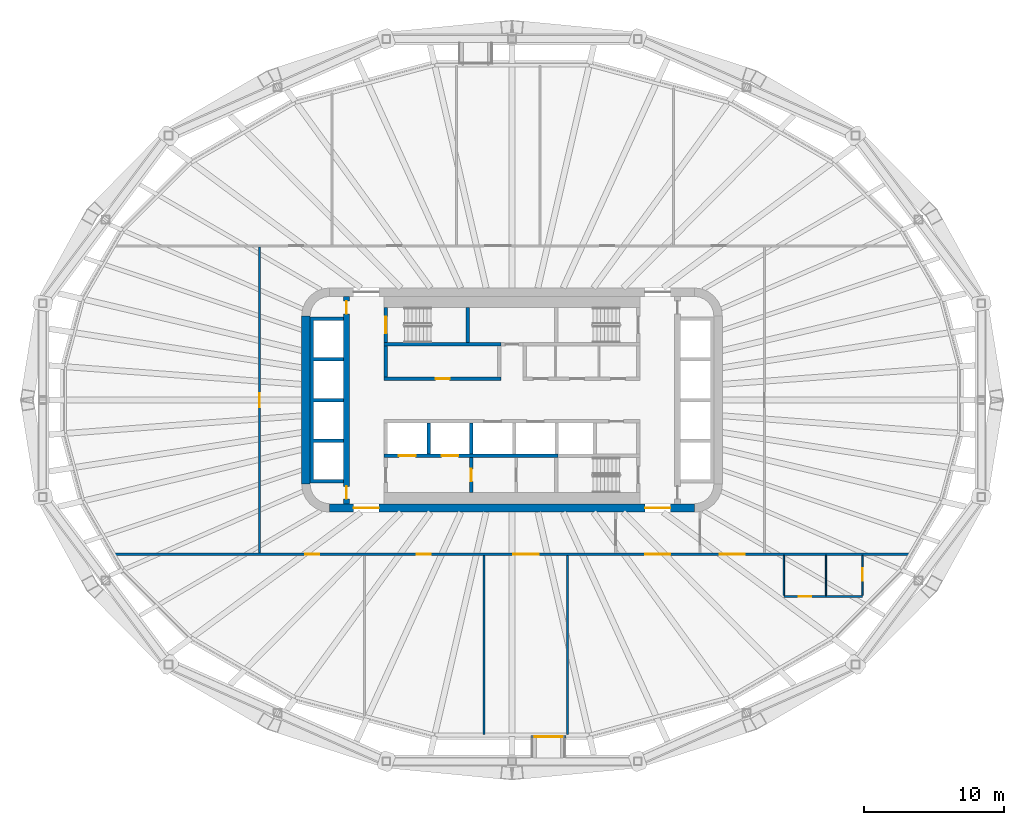
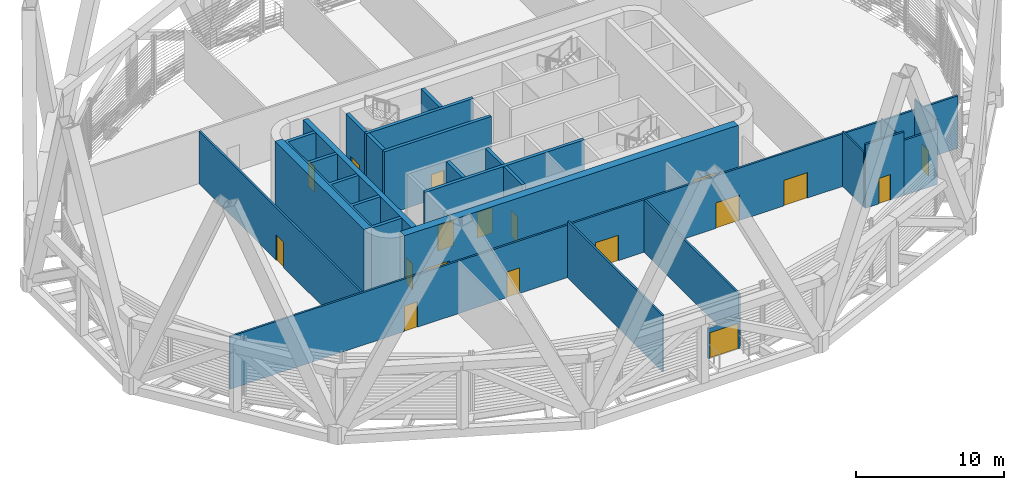
# One storey, part 6 of 18: 23 walls, 18 doors, 18 openings.
"""IFC4 building model written with IfcOpenShell, lengths in metres."""

from ifc_helpers import new_model, si_unit, direction, frame, frame_2d, origin, place, context, subcontext, project, spatial, polyline, rectangle, outline, extrude, material, layer, layer_set, type_object, element, fill, save


model = new_model("IFC4")

# Units and contexts
model_context = context("Model", 3, precision=1e-05, world=origin(), true_north=direction((0.0, 1.0)))
body_context = subcontext(model_context, "Body", "Model", "MODEL_VIEW")
ifc_project = project(units=[si_unit("LENGTHUNIT", "METRE"), si_unit("AREAUNIT", "SQUARE_METRE"), si_unit("VOLUMEUNIT", "CUBIC_METRE"), si_unit("PLANEANGLEUNIT", "RADIAN"), si_unit("MASSUNIT", "GRAM", prefix="KILO")], contexts=[model_context])

# Site, building, storey
site_placement = place(None, origin())
site = spatial("IfcSite", under=ifc_project, at=site_placement, CompositionType="ELEMENT")
building_placement = place(site_placement, origin())
building = spatial("IfcBuilding", under=site, at=building_placement, Name="Sahrelin Media Tower", CompositionType="ELEMENT")
storey_placement = place(building_placement, frame((0.0, 0.0, 96.60009765625)))
storey = spatial("IfcBuildingStorey", under=building, at=storey_placement, Name="L18", CompositionType="ELEMENT", Elevation=96.60009765625)

# Wall, openings, doors
ifc_material_1 = material(Name="Concrete C60/75", Category="concrete")
ifc_layer_1 = layer(ifc_material_1, 0.60009765625)
ifc_layer_set_1 = layer_set([ifc_layer_1], Name="Core wall 600")
wall_type_1 = type_object("IfcWallType", Name="Core wall 600", PredefinedType="SHEAR", material=ifc_layer_set_1)
wall_1_placement = place(storey_placement, frame((-13.0, -7.699951171875, 0.0), z_axis=(0.0, 0.0, 1.0), x_axis=(1.0, 0.0, 0.0)))
wall_1 = element("IfcWall", 1, at=wall_1_placement, inside=storey, type_object=wall_type_1, Name="Core wall S L18", PredefinedType="SHEAR", context=body_context, shape_type="SweptSolid", body=[
    extrude(rectangle(XDim=26.0, YDim=0.60009765625, at=frame_2d((13.0, 0.0))), origin(), (0.0, 0.0, 1.0), 5.39990234375),
])
opening_1_placement = place(wall_1_placement, frame((1.699951171875, 0.0, 0.0)))
opening_1 = element("IfcOpeningElement", 2, at=opening_1_placement, cuts=wall_1, Name="Opening L18-D19", PredefinedType="OPENING", context=body_context, shape_type="SweptSolid", body=[
    extrude(rectangle(XDim=1.800048828125, YDim=2.10009765625, at=frame_2d((0.89990234375, 1.050048828125))), frame((0.0, 0.300048828125, 0.0), z_axis=(0.0, -1.0, 0.0), x_axis=(1.0, 0.0, 0.0)), (0.0, 0.0, 1.0), 0.60009765625),
])
opening_2_placement = place(wall_1_placement, frame((22.5, 0.0, 0.0)))
opening_2 = element("IfcOpeningElement", 3, at=opening_2_placement, cuts=wall_1, Name="Opening L18-D20", PredefinedType="OPENING", context=body_context, shape_type="SweptSolid", body=[
    extrude(rectangle(XDim=1.800048828125, YDim=2.10009765625, at=frame_2d((0.89990234375, 1.050048828125))), frame((0.0, 0.300048828125, 0.0), z_axis=(0.0, -1.0, 0.0), x_axis=(1.0, 0.0, 0.0)), (0.0, 0.0, 1.0), 0.60009765625),
])
ifc_material_2 = material(Name="Steel fire door leaf", Category="steel")
door_type_1 = type_object("IfcDoorType", Name="Lobby double door 1800 x 2100 EI 60", OperationType="DOUBLE_DOOR_SINGLE_SWING", PredefinedType="DOOR", material=ifc_material_2)
door_1_placement = place(opening_1_placement, origin())
door_1 = element("IfcDoor", 4, at=door_1_placement, inside=storey, type_object=door_type_1, Name="Lobby door", OperationType="DOUBLE_DOOR_SINGLE_SWING", OverallHeight=2.10009765625, OverallWidth=1.800048828125, PredefinedType="DOOR", context=body_context, shape_type="SweptSolid", body=[
    extrude(rectangle(XDim=1.800048828125, YDim=2.10009765625, at=frame_2d((0.89990234375, 1.050048828125))), frame((0.0, 0.02490234375, 0.0), z_axis=(0.0, -1.0, 0.0), x_axis=(1.0, 0.0, 0.0)), (0.0, 0.0, 1.0), 0.050048828125),
])
fill(opening_1, door_1)
door_2_placement = place(opening_2_placement, origin())
door_2 = element("IfcDoor", 5, at=door_2_placement, inside=storey, type_object=door_type_1, Name="Lobby door", OperationType="DOUBLE_DOOR_SINGLE_SWING", OverallHeight=2.10009765625, OverallWidth=1.800048828125, PredefinedType="DOOR", context=body_context, shape_type="SweptSolid", body=[
    extrude(rectangle(XDim=1.800048828125, YDim=2.10009765625, at=frame_2d((0.89990234375, 1.050048828125))), frame((0.0, 0.02490234375, 0.0), z_axis=(0.0, -1.0, 0.0), x_axis=(1.0, 0.0, 0.0)), (0.0, 0.0, 1.0), 0.050048828125),
])
fill(opening_2, door_2)

# Wall
wall_2_placement = place(storey_placement, frame((-14.699951171875, -6.0, 0.0), z_axis=(0.0, 0.0, 1.0), x_axis=(0.0, 1.0, 0.0)))
element("IfcWall", 6, at=wall_2_placement, inside=storey, type_object=wall_type_1, Name="Core wall W L18", PredefinedType="SHEAR", context=body_context, shape_type="SweptSolid", body=[
    extrude(rectangle(XDim=12.0, YDim=0.60009765625, at=frame_2d((6.0, 0.0))), origin(), (0.0, 0.0, 1.0), 5.39990234375),
])

# Wall, opening, door
ifc_material_3 = material(Name="Fire-rated gypsum board partition")
ifc_layer_2 = layer(ifc_material_3, 0.25)
ifc_layer_set_2 = layer_set([ifc_layer_2], Name="Fire-rated lobby wall 250")
wall_type_2 = type_object("IfcWallType", Name="Fire-rated lobby wall 250", PredefinedType="PARTITIONING", material=ifc_layer_set_2)
wall_3_placement = place(storey_placement, frame((-9.125, 1.52490234375, 0.0), z_axis=(0.0, 0.0, 1.0), x_axis=(1.0, 0.0, 0.0)))
wall_3 = element("IfcWall", 7, at=wall_3_placement, inside=storey, type_object=wall_type_2, Name="Core lobby wall", PredefinedType="PARTITIONING", context=body_context, shape_type="SweptSolid", body=[
    extrude(rectangle(XDim=8.35009765625, YDim=0.25, at=frame_2d((4.175048828125, 0.0))), origin(), (0.0, 0.0, 1.0), 5.25),
])
opening_3_placement = place(wall_3_placement, frame((3.675048828125, 0.0, 0.0)))
opening_3 = element("IfcOpeningElement", 8, at=opening_3_placement, cuts=wall_3, Name="Opening L18-D08", PredefinedType="OPENING", context=body_context, shape_type="SweptSolid", body=[
    extrude(rectangle(XDim=1.0, YDim=2.10009765625, at=frame_2d((0.5, 1.050048828125))), frame((0.0, 0.125, 0.0), z_axis=(0.0, -1.0, 0.0), x_axis=(1.0, 0.0, 0.0)), (0.0, 0.0, 1.0), 0.25),
])
door_type_2 = type_object("IfcDoorType", Name="Fire door 1000 x 2100 EI 60", OperationType="NOTDEFINED", PredefinedType="DOOR", material=ifc_material_2)
door_3_placement = place(opening_3_placement, origin())
door_3 = element("IfcDoor", 9, at=door_3_placement, inside=storey, type_object=door_type_2, Name="Core room door", OperationType="SINGLE_SWING_LEFT", OverallHeight=2.10009765625, OverallWidth=1.0, PredefinedType="DOOR", context=body_context, shape_type="SweptSolid", body=[
    extrude(rectangle(XDim=1.0, YDim=2.10009765625, at=frame_2d((0.5, 1.050048828125))), frame((0.0, 0.02490234375, 0.0), z_axis=(0.0, -1.0, 0.0), x_axis=(1.0, 0.0, 0.0)), (0.0, 0.0, 1.0), 0.050048828125),
])
fill(opening_3, door_3)

# Wall
wall_4_placement = place(storey_placement, frame((-9.0, 1.64990234375, 0.0), z_axis=(0.0, 0.0, 1.0), x_axis=(0.0, 1.0, 0.0)))
element("IfcWall", 10, at=wall_4_placement, inside=storey, type_object=wall_type_2, Name="Core lobby wall", PredefinedType="PARTITIONING", context=body_context, shape_type="SweptSolid", body=[
    extrude(rectangle(XDim=2.2001953125, YDim=0.25, at=frame_2d((1.10009765625, 0.0))), origin(), (0.0, 0.0, 1.0), 5.25),
])

# Wall, openings, doors
ifc_layer_3 = layer(ifc_material_3, 0.14990234375)
ifc_layer_set_3 = layer_set([ifc_layer_3], Name="Fire-rated partition 150")
wall_type_3 = type_object("IfcWallType", Name="Fire-rated partition 150", PredefinedType="PARTITIONING", material=ifc_layer_set_3)
wall_5_placement = place(storey_placement, frame((-28.34619140625, -11.0, 0.0), z_axis=(0.0, 0.0, 1.0), x_axis=(1.0, 0.0, 0.0)))
wall_5 = element("IfcWall", 11, at=wall_5_placement, inside=storey, type_object=wall_type_3, Name="Wall", PredefinedType="PARTITIONING", context=body_context, shape_type="SweptSolid", body=[
    extrude(rectangle(XDim=56.6923828125, YDim=0.14990234375, at=frame_2d((28.34619140625, 0.0))), origin(), (0.0, 0.0, 1.0), 4.326904296875),
])
opening_4_placement = place(wall_5_placement, frame((13.60009765625, 0.0, 0.0)))
opening_4 = element("IfcOpeningElement", 12, at=opening_4_placement, cuts=wall_5, Name="Opening L18-D25", PredefinedType="OPENING", context=body_context, shape_type="SweptSolid", body=[
    extrude(rectangle(XDim=1.0, YDim=2.10009765625, at=frame_2d((0.5, 1.050048828125))), frame((0.0, 0.074951171875, 0.0), z_axis=(0.0, -1.0, 0.0), x_axis=(1.0, 0.0, 0.0)), (0.0, 0.0, 1.0), 0.14990234375),
])
opening_5_placement = place(wall_5_placement, frame((21.550048828125, 0.0, 0.0)))
opening_5 = element("IfcOpeningElement", 13, at=opening_5_placement, cuts=wall_5, Name="Opening L18-D26", PredefinedType="OPENING", context=body_context, shape_type="SweptSolid", body=[
    extrude(rectangle(XDim=1.0, YDim=2.10009765625, at=frame_2d((0.5, 1.050048828125))), frame((0.0, 0.074951171875, 0.0), z_axis=(0.0, -1.0, 0.0), x_axis=(1.0, 0.0, 0.0)), (0.0, 0.0, 1.0), 0.14990234375),
])
opening_6_placement = place(wall_5_placement, frame((37.85009765625, 0.0, 0.0)))
opening_6 = element("IfcOpeningElement", 14, at=opening_6_placement, cuts=wall_5, Name="Opening L18-D31", PredefinedType="OPENING", context=body_context, shape_type="SweptSolid", body=[
    extrude(rectangle(XDim=1.800048828125, YDim=2.10009765625, at=frame_2d((0.89990234375, 1.050048828125))), frame((0.0, 0.074951171875, 0.0), z_axis=(0.0, -1.0, 0.0), x_axis=(1.0, 0.0, 0.0)), (0.0, 0.0, 1.0), 0.14990234375),
])
opening_7_placement = place(wall_5_placement, frame((43.14990234375, 0.0, 0.0)))
opening_7 = element("IfcOpeningElement", 15, at=opening_7_placement, cuts=wall_5, Name="Opening L18-D32", PredefinedType="OPENING", context=body_context, shape_type="SweptSolid", body=[
    extrude(rectangle(XDim=1.800048828125, YDim=2.10009765625, at=frame_2d((0.89990234375, 1.050048828125))), frame((0.0, 0.074951171875, 0.0), z_axis=(0.0, -1.0, 0.0), x_axis=(1.0, 0.0, 0.0)), (0.0, 0.0, 1.0), 0.14990234375),
])
opening_8_placement = place(wall_5_placement, frame((28.449951171875, 0.0, 0.0)))
opening_8 = element("IfcOpeningElement", 16, at=opening_8_placement, cuts=wall_5, Name="Opening L18-D36", PredefinedType="OPENING", context=body_context, shape_type="SweptSolid", body=[
    extrude(rectangle(XDim=1.800048828125, YDim=2.10009765625, at=frame_2d((0.89990234375, 1.050048828125))), frame((0.0, 0.074951171875, 0.0), z_axis=(0.0, -1.0, 0.0), x_axis=(1.0, 0.0, 0.0)), (0.0, 0.0, 1.0), 0.14990234375),
])
door_4_placement = place(opening_4_placement, origin())
door_4 = element("IfcDoor", 17, at=door_4_placement, inside=storey, type_object=door_type_2, Name="Fire door", OperationType="SINGLE_SWING_LEFT", OverallHeight=2.10009765625, OverallWidth=1.0, PredefinedType="DOOR", context=body_context, shape_type="SweptSolid", body=[
    extrude(rectangle(XDim=1.0, YDim=2.10009765625, at=frame_2d((0.5, 1.050048828125))), frame((0.0, 0.02490234375, 0.0), z_axis=(0.0, -1.0, 0.0), x_axis=(1.0, 0.0, 0.0)), (0.0, 0.0, 1.0), 0.050048828125),
])
fill(opening_4, door_4)
door_5_placement = place(opening_5_placement, origin())
door_5 = element("IfcDoor", 18, at=door_5_placement, inside=storey, type_object=door_type_2, Name="Fire door", OperationType="SINGLE_SWING_LEFT", OverallHeight=2.10009765625, OverallWidth=1.0, PredefinedType="DOOR", context=body_context, shape_type="SweptSolid", body=[
    extrude(rectangle(XDim=1.0, YDim=2.10009765625, at=frame_2d((0.5, 1.050048828125))), frame((0.0, 0.02490234375, 0.0), z_axis=(0.0, -1.0, 0.0), x_axis=(1.0, 0.0, 0.0)), (0.0, 0.0, 1.0), 0.050048828125),
])
fill(opening_5, door_5)
door_6_placement = place(opening_6_placement, origin())
door_6 = element("IfcDoor", 19, at=door_6_placement, inside=storey, type_object=door_type_1, Name="Lobby double door", OperationType="DOUBLE_DOOR_SINGLE_SWING", OverallHeight=2.10009765625, OverallWidth=1.800048828125, PredefinedType="DOOR", context=body_context, shape_type="SweptSolid", body=[
    extrude(rectangle(XDim=1.800048828125, YDim=2.10009765625, at=frame_2d((0.89990234375, 1.050048828125))), frame((0.0, 0.02490234375, 0.0), z_axis=(0.0, -1.0, 0.0), x_axis=(1.0, 0.0, 0.0)), (0.0, 0.0, 1.0), 0.050048828125),
])
fill(opening_6, door_6)
door_type_3 = type_object("IfcDoorType", Name="Service double door 1800 x 2100 EI 60", OperationType="DOUBLE_DOOR_SINGLE_SWING", PredefinedType="DOOR", material=ifc_material_2)
door_7_placement = place(opening_7_placement, origin())
door_7 = element("IfcDoor", 20, at=door_7_placement, inside=storey, type_object=door_type_3, Name="Service double door", OperationType="DOUBLE_DOOR_SINGLE_SWING", OverallHeight=2.10009765625, OverallWidth=1.800048828125, PredefinedType="DOOR", context=body_context, shape_type="SweptSolid", body=[
    extrude(rectangle(XDim=1.800048828125, YDim=2.10009765625, at=frame_2d((0.89990234375, 1.050048828125))), frame((0.0, 0.02490234375, 0.0), z_axis=(0.0, -1.0, 0.0), x_axis=(1.0, 0.0, 0.0)), (0.0, 0.0, 1.0), 0.050048828125),
])
fill(opening_7, door_7)
door_8_placement = place(opening_8_placement, origin())
door_8 = element("IfcDoor", 21, at=door_8_placement, inside=storey, type_object=door_type_3, Name="Service double door", OperationType="DOUBLE_DOOR_SINGLE_SWING", OverallHeight=2.10009765625, OverallWidth=1.800048828125, PredefinedType="DOOR", context=body_context, shape_type="SweptSolid", body=[
    extrude(rectangle(XDim=1.800048828125, YDim=2.10009765625, at=frame_2d((0.89990234375, 1.050048828125))), frame((0.0, 0.02490234375, 0.0), z_axis=(0.0, -1.0, 0.0), x_axis=(1.0, 0.0, 0.0)), (0.0, 0.0, 1.0), 0.050048828125),
])
fill(opening_8, door_8)

# Wall, opening, door
wall_6_placement = place(storey_placement, frame((-18.0, -10.925048828125, 0.0), z_axis=(0.0, 0.0, 1.0), x_axis=(0.0, 1.0, 0.0)))
wall_6 = element("IfcWall", 22, at=wall_6_placement, inside=storey, type_object=wall_type_3, Name="Wall", PredefinedType="PARTITIONING", context=body_context, shape_type="SweptSolid", body=[
    extrude(rectangle(XDim=21.85009765625, YDim=0.14990234375, at=frame_2d((10.925048828125, 0.0))), origin(), (0.0, 0.0, 1.0), 4.326904296875),
])
opening_9_placement = place(wall_6_placement, frame((10.425048828125, 0.0, 0.0)))
opening_9 = element("IfcOpeningElement", 23, at=opening_9_placement, cuts=wall_6, Name="Opening L18-D28", PredefinedType="OPENING", context=body_context, shape_type="SweptSolid", body=[
    extrude(rectangle(XDim=1.0, YDim=2.10009765625, at=frame_2d((0.5, 1.050048828125))), frame((0.0, 0.074951171875, 0.0), z_axis=(0.0, -1.0, 0.0), x_axis=(1.0, 0.0, 0.0)), (0.0, 0.0, 1.0), 0.14990234375),
])
door_9_placement = place(opening_9_placement, origin())
door_9 = element("IfcDoor", 24, at=door_9_placement, inside=storey, type_object=door_type_2, Name="Fire door", OperationType="SINGLE_SWING_RIGHT", OverallHeight=2.10009765625, OverallWidth=1.0, PredefinedType="DOOR", context=body_context, shape_type="SweptSolid", body=[
    extrude(rectangle(XDim=1.0, YDim=2.10009765625, at=frame_2d((0.5, 1.050048828125))), frame((0.0, 0.02490234375, 0.0), z_axis=(0.0, -1.0, 0.0), x_axis=(1.0, 0.0, 0.0)), (0.0, 0.0, 1.0), 0.050048828125),
])
fill(opening_9, door_9)

# Walls
wall_7_placement = place(storey_placement, frame((-2.0, -11.074951171875, 0.0), z_axis=(0.0, 0.0, 1.0), x_axis=(0.0, -1.0, 0.0)))
element("IfcWall", 25, at=wall_7_placement, inside=storey, type_object=wall_type_3, Name="Wall", PredefinedType="PARTITIONING", context=body_context, shape_type="SweptSolid", body=[
    extrude(rectangle(XDim=12.791259765625, YDim=0.14990234375, at=frame_2d((6.3955078125, 0.0))), origin(), (0.0, 0.0, 1.0), 4.627197265625),
])
wall_8_placement = place(storey_placement, frame((3.949951171875, -11.074951171875, 0.0), z_axis=(0.0, 0.0, 1.0), x_axis=(0.0, -1.0, 0.0)))
element("IfcWall", 26, at=wall_8_placement, inside=storey, type_object=wall_type_3, Name="Wall", PredefinedType="PARTITIONING", context=body_context, shape_type="SweptSolid", body=[
    extrude(rectangle(XDim=12.791259765625, YDim=0.14990234375, at=frame_2d((6.3955078125, 0.0))), origin(), (0.0, 0.0, 1.0), 4.326904296875),
])

# Wall, opening, door
wall_9_placement = place(storey_placement, frame((19.3935546875, -14.0, 0.0), z_axis=(0.0, 0.0, 1.0), x_axis=(1.0, 0.0, 0.0)))
wall_9 = element("IfcWall", 27, at=wall_9_placement, inside=storey, type_object=wall_type_3, Name="Wall", PredefinedType="PARTITIONING", context=body_context, shape_type="SweptSolid", body=[
    extrude(rectangle(XDim=3.0, YDim=0.14990234375, at=frame_2d((1.5, 0.0))), origin(), (0.0, 0.0, 1.0), 5.25),
])
opening_10_placement = place(wall_9_placement, frame((1.050048828125, 0.0, 0.0)))
opening_10 = element("IfcOpeningElement", 28, at=opening_10_placement, cuts=wall_9, Name="Opening L18-D33", PredefinedType="OPENING", context=body_context, shape_type="SweptSolid", body=[
    extrude(rectangle(XDim=0.89990234375, YDim=2.10009765625, at=frame_2d((0.449951171875, 1.050048828125))), frame((0.0, 0.074951171875, 0.0), z_axis=(0.0, -1.0, 0.0), x_axis=(1.0, 0.0, 0.0)), (0.0, 0.0, 1.0), 0.14990234375),
])
ifc_material_4 = material(Name="Timber door leaf", Category="wood")
door_type_4 = type_object("IfcDoorType", Name="Single door 900 x 2100", OperationType="NOTDEFINED", PredefinedType="DOOR", material=ifc_material_4)
door_10_placement = place(opening_10_placement, origin())
door_10 = element("IfcDoor", 29, at=door_10_placement, inside=storey, type_object=door_type_4, Name="Single door", OperationType="SINGLE_SWING_RIGHT", OverallHeight=2.10009765625, OverallWidth=0.89990234375, PredefinedType="DOOR", context=body_context, shape_type="SweptSolid", body=[
    extrude(rectangle(XDim=0.89990234375, YDim=2.10009765625, at=frame_2d((0.449951171875, 1.050048828125))), frame((0.0, 0.02490234375, 0.0), z_axis=(0.0, -1.0, 0.0), x_axis=(1.0, 0.0, 0.0)), (0.0, 0.0, 1.0), 0.050048828125),
])
fill(opening_10, door_10)

# Wall
wall_10_placement = place(storey_placement, frame((22.3935546875, -14.0, 0.0), z_axis=(0.0, 0.0, 1.0), x_axis=(1.0, 0.0, 0.0)))
element("IfcWall", 30, at=wall_10_placement, inside=storey, type_object=wall_type_3, Name="Wall", PredefinedType="PARTITIONING", context=body_context, shape_type="SweptSolid", body=[
    extrude(rectangle(XDim=2.599853515625, YDim=0.14990234375, at=frame_2d((1.2998046875, 0.0))), origin(), (0.0, 0.0, 1.0), 4.552001953125),
])

# Wall, opening, door
ifc_layer_4 = layer(ifc_material_3, 0.25)
ifc_layer_set_4 = layer_set([ifc_layer_4], Name="Firefighting lobby wall 250")
wall_type_4 = type_object("IfcWallType", Name="Firefighting lobby wall 250", PredefinedType="PARTITIONING", material=ifc_layer_set_4)
wall_11_placement = place(storey_placement, frame((-2.89990234375, -6.60009765625, 0.0), z_axis=(0.0, 0.0, 1.0), x_axis=(0.0, 1.0, 0.0)))
wall_11 = element("IfcWall", 31, at=wall_11_placement, inside=storey, type_object=wall_type_4, Name="Core wall", PredefinedType="PARTITIONING", context=body_context, shape_type="SweptSolid", body=[
    extrude(rectangle(XDim=2.5, YDim=0.25, at=frame_2d((1.25, 0.0))), origin(), (0.0, 0.0, 1.0), 5.25),
])
opening_11_placement = place(wall_11_placement, frame((0.800048828125, 0.0, 0.0)))
opening_11 = element("IfcOpeningElement", 32, at=opening_11_placement, cuts=wall_11, Name="Opening L18-D05", PredefinedType="OPENING", context=body_context, shape_type="SweptSolid", body=[
    extrude(rectangle(XDim=0.89990234375, YDim=2.10009765625, at=frame_2d((0.449951171875, 1.050048828125))), frame((0.0, 0.125, 0.0), z_axis=(0.0, -1.0, 0.0), x_axis=(1.0, 0.0, 0.0)), (0.0, 0.0, 1.0), 0.25),
])
door_type_5 = type_object("IfcDoorType", Name="Firefighting lobby door 900 x 2100 EI 120", OperationType="NOTDEFINED", PredefinedType="DOOR", material=ifc_material_2)
door_11_placement = place(opening_11_placement, origin())
door_11 = element("IfcDoor", 33, at=door_11_placement, inside=storey, type_object=door_type_5, Name="Riser door", OperationType="SINGLE_SWING_RIGHT", OverallHeight=2.10009765625, OverallWidth=0.89990234375, PredefinedType="DOOR", context=body_context, shape_type="SweptSolid", body=[
    extrude(rectangle(XDim=0.89990234375, YDim=2.10009765625, at=frame_2d((0.449951171875, 1.050048828125))), frame((0.0, 0.02490234375, 0.0), z_axis=(0.0, -1.0, 0.0), x_axis=(1.0, 0.0, 0.0)), (0.0, 0.0, 1.0), 0.050048828125),
])
fill(opening_11, door_11)

# Wall, openings, doors
ifc_layer_5 = layer(ifc_material_1, 0.25)
ifc_layer_set_5 = layer_set([ifc_layer_5], Name="Lift shaft wall 250")
wall_type_5 = type_object("IfcWallType", Name="Lift shaft wall 250", PredefinedType="SOLIDWALL", material=ifc_layer_set_5)
wall_12_placement = place(storey_placement, frame((-9.125, -3.97509765625, 0.0), z_axis=(0.0, 0.0, 1.0), x_axis=(1.0, 0.0, 0.0)))
wall_12 = element("IfcWall", 34, at=wall_12_placement, inside=storey, type_object=wall_type_5, Name="Lift shaft wall", PredefinedType="SOLIDWALL", context=body_context, shape_type="SweptSolid", body=[
    extrude(rectangle(XDim=12.39990234375, YDim=0.25, at=frame_2d((6.199951171875, 0.0))), origin(), (0.0, 0.0, 1.0), 5.25),
])
opening_12_placement = place(wall_12_placement, frame((1.050048828125, 0.0, 0.0)))
opening_12 = element("IfcOpeningElement", 35, at=opening_12_placement, cuts=wall_12, Name="Opening L18-LD-FF1", PredefinedType="OPENING", context=body_context, shape_type="SweptSolid", body=[
    extrude(rectangle(XDim=1.199951171875, YDim=2.10009765625, at=frame_2d((0.60009765625, 1.050048828125))), frame((0.0, 0.125, 0.0), z_axis=(0.0, -1.0, 0.0), x_axis=(1.0, 0.0, 0.0)), (0.0, 0.0, 1.0), 0.25),
])
opening_13_placement = place(wall_12_placement, frame((4.10009765625, 0.0, 0.0)))
opening_13 = element("IfcOpeningElement", 36, at=opening_13_placement, cuts=wall_12, Name="Opening L18-LD-FF2", PredefinedType="OPENING", context=body_context, shape_type="SweptSolid", body=[
    extrude(rectangle(XDim=1.199951171875, YDim=2.10009765625, at=frame_2d((0.60009765625, 1.050048828125))), frame((0.0, 0.125, 0.0), z_axis=(0.0, -1.0, 0.0), x_axis=(1.0, 0.0, 0.0)), (0.0, 0.0, 1.0), 0.25),
])
ifc_material_5 = material(Name="Stainless steel", Category="steel")
door_type_6 = type_object("IfcDoorType", Name="Lift landing door 1200 x 2100 EI 120", OperationType="DOUBLE_DOOR_SLIDING", PredefinedType="DOOR", material=ifc_material_5)
door_12_placement = place(opening_12_placement, origin())
door_12 = element("IfcDoor", 37, at=door_12_placement, inside=storey, type_object=door_type_6, Name="Lift landing door FF1", OperationType="DOUBLE_DOOR_SLIDING", OverallHeight=2.10009765625, OverallWidth=1.199951171875, PredefinedType="DOOR", context=body_context, shape_type="SweptSolid", body=[
    extrude(rectangle(XDim=1.199951171875, YDim=2.10009765625, at=frame_2d((0.60009765625, 1.050048828125))), frame((0.0, 0.02490234375, 0.0), z_axis=(0.0, -1.0, 0.0), x_axis=(1.0, 0.0, 0.0)), (0.0, 0.0, 1.0), 0.050048828125),
])
fill(opening_12, door_12)
door_13_placement = place(opening_13_placement, origin())
door_13 = element("IfcDoor", 38, at=door_13_placement, inside=storey, type_object=door_type_6, Name="Lift landing door FF2", OperationType="DOUBLE_DOOR_SLIDING", OverallHeight=2.10009765625, OverallWidth=1.199951171875, PredefinedType="DOOR", context=body_context, shape_type="SweptSolid", body=[
    extrude(rectangle(XDim=1.199951171875, YDim=2.10009765625, at=frame_2d((0.60009765625, 1.050048828125))), frame((0.0, 0.02490234375, 0.0), z_axis=(0.0, -1.0, 0.0), x_axis=(1.0, 0.0, 0.0)), (0.0, 0.0, 1.0), 0.050048828125),
])
fill(opening_13, door_13)

# Walls
for number, where, z_axis, x_axis, name in (
    (39, (-5.949951171875, -3.85009765625, 0.0), (0.0, 0.0, 1.0), (0.0, 1.0, 0.0), "Lift shaft wall"),
    (40, (-2.89990234375, -3.85009765625, 0.0), (0.0, 0.0, 1.0), (0.0, 1.0, 0.0), "Lift shaft wall"),
):
    element("IfcWall", number, at=place(storey_placement, frame(where, z_axis=z_axis, x_axis=x_axis)), inside=storey, type_object=wall_type_5, Name=name, PredefinedType="SOLIDWALL", context=body_context, shape_type="SweptSolid", body=[
        extrude(rectangle(XDim=2.2001953125, YDim=0.25, at=frame_2d((1.10009765625, 0.0))), origin(), (0.0, 0.0, 1.0), 5.25),
    ])
wall_13_placement = place(storey_placement, origin())
element("IfcWall", 41, at=wall_13_placement, inside=storey, type_object=wall_type_5, Name="Lift shaft wall", PredefinedType="SOLIDWALL", context=body_context, shape_type="SweptSolid", body=[
    extrude(outline(polyline([(-12.0, -5.925048828125), (-12.0, -5.675048828125), (-14.14990234375, -5.675048828125), (-14.14990234375, -3.02490234375), (-12.0, -3.02490234375), (-12.0, -2.77490234375), (-14.14990234375, -2.77490234375), (-14.14990234375, -0.125), (-12.0, -0.125), (-12.0, 0.125), (-14.14990234375, 0.125), (-14.14990234375, 2.77490234375), (-12.0, 2.77490234375), (-12.0, 3.02490234375), (-14.14990234375, 3.02490234375), (-14.14990234375, 5.675048828125), (-12.0, 5.675048828125), (-12.0, 5.925048828125), (-14.14990234375, 5.925048828125), (-14.39990234375, 5.925048828125), (-14.39990234375, 5.675048828125), (-14.39990234375, 3.02490234375), (-14.39990234375, 2.77490234375), (-14.39990234375, 0.125), (-14.39990234375, -0.125), (-14.39990234375, -2.77490234375), (-14.39990234375, -3.02490234375), (-14.39990234375, -5.675048828125), (-14.39990234375, -5.925048828125), (-14.14990234375, -5.925048828125), (-12.0, -5.925048828125)])), origin(), (0.0, 0.0, 1.0), 5.25),
])

# Wall, openings, doors
ifc_layer_6 = layer(ifc_material_1, 0.39990234375)
ifc_layer_set_6 = layer_set([ifc_layer_6], Name="Lift shaft wall 400")
wall_type_6 = type_object("IfcWallType", Name="Lift shaft wall 400", PredefinedType="SOLIDWALL", material=ifc_layer_set_6)
wall_14_placement = place(storey_placement, frame((-11.800048828125, -7.39990234375, 0.0), z_axis=(0.0, 0.0, 1.0), x_axis=(0.0, 1.0, 0.0)))
wall_14 = element("IfcWall", 42, at=wall_14_placement, inside=storey, type_object=wall_type_6, Name="Lift shaft wall", PredefinedType="SOLIDWALL", context=body_context, shape_type="SweptSolid", body=[
    extrude(rectangle(XDim=14.7998046875, YDim=0.39990234375, at=frame_2d((7.39990234375, 0.0))), origin(), (0.0, 0.0, 1.0), 5.25),
])
opening_14_placement = place(wall_14_placement, frame((13.552490234375, 0.0, 0.0)))
opening_14 = element("IfcOpeningElement", 43, at=opening_14_placement, cuts=wall_14, Name="Opening L18-D13", PredefinedType="OPENING", context=body_context, shape_type="SweptSolid", body=[
    extrude(rectangle(XDim=0.89990234375, YDim=2.10009765625, at=frame_2d((0.449951171875, 1.050048828125))), frame((0.0, 0.199951171875, 0.0), z_axis=(0.0, -1.0, 0.0), x_axis=(1.0, 0.0, 0.0)), (0.0, 0.0, 1.0), 0.39990234375),
])
opening_15_placement = place(wall_14_placement, frame((0.347412109375, 0.0, 0.0)))
opening_15 = element("IfcOpeningElement", 44, at=opening_15_placement, cuts=wall_14, Name="Opening L18-D14", PredefinedType="OPENING", context=body_context, shape_type="SweptSolid", body=[
    extrude(rectangle(XDim=0.89990234375, YDim=2.10009765625, at=frame_2d((0.449951171875, 1.050048828125))), frame((0.0, 0.199951171875, 0.0), z_axis=(0.0, -1.0, 0.0), x_axis=(1.0, 0.0, 0.0)), (0.0, 0.0, 1.0), 0.39990234375),
])
door_type_7 = type_object("IfcDoorType", Name="Riser door 900 x 2100 EI 120", OperationType="NOTDEFINED", PredefinedType="DOOR", material=ifc_material_2)
door_14_placement = place(opening_14_placement, origin())
door_14 = element("IfcDoor", 45, at=door_14_placement, inside=storey, type_object=door_type_7, Name="Riser door", OperationType="SINGLE_SWING_LEFT", OverallHeight=2.10009765625, OverallWidth=0.89990234375, PredefinedType="DOOR", context=body_context, shape_type="SweptSolid", body=[
    extrude(rectangle(XDim=0.89990234375, YDim=2.10009765625, at=frame_2d((0.449951171875, 1.050048828125))), frame((0.0, 0.02490234375, 0.0), z_axis=(0.0, -1.0, 0.0), x_axis=(1.0, 0.0, 0.0)), (0.0, 0.0, 1.0), 0.050048828125),
])
fill(opening_14, door_14)
door_15_placement = place(opening_15_placement, origin())
door_15 = element("IfcDoor", 46, at=door_15_placement, inside=storey, type_object=door_type_7, Name="Riser door", OperationType="SINGLE_SWING_LEFT", OverallHeight=2.10009765625, OverallWidth=0.89990234375, PredefinedType="DOOR", context=body_context, shape_type="SweptSolid", body=[
    extrude(rectangle(XDim=0.89990234375, YDim=2.10009765625, at=frame_2d((0.449951171875, 1.050048828125))), frame((0.0, 0.02490234375, 0.0), z_axis=(0.0, -1.0, 0.0), x_axis=(1.0, 0.0, 0.0)), (0.0, 0.0, 1.0), 0.050048828125),
])
fill(opening_15, door_15)

# Walls
ifc_material_6 = material(Name="Gypsum board partition")
ifc_layer_7 = layer(ifc_material_6, 0.10009765625)
ifc_layer_set_7 = layer_set([ifc_layer_7], Name="Partition 100")
wall_type_7 = type_object("IfcWallType", Name="Partition 100", PredefinedType="PARTITIONING", material=ifc_layer_set_7)
for number, where, z_axis, x_axis, name in (
    (47, (19.3935546875, -13.925048828125, 0.0), (0.0, 0.0, 1.0), (0.0, 1.0, 0.0), "Wall"),
    (48, (22.3935546875, -13.925048828125, 0.0), (0.0, 0.0, 1.0), (0.0, 1.0, 0.0), "Wall"),
):
    element("IfcWall", number, at=place(storey_placement, frame(where, z_axis=z_axis, x_axis=x_axis)), inside=storey, type_object=wall_type_7, Name=name, PredefinedType="PARTITIONING", context=body_context, shape_type="SweptSolid", body=[
        extrude(rectangle(XDim=2.85009765625, YDim=0.10009765625, at=frame_2d((1.425048828125, 0.0))), origin(), (0.0, 0.0, 1.0), 4.552001953125),
    ])

# Wall, opening, door
wall_15_placement = place(storey_placement, frame((24.993408203125, -13.925048828125, 0.0), z_axis=(0.0, 0.0, 1.0), x_axis=(0.0, 1.0, 0.0)))
wall_15 = element("IfcWall", 49, at=wall_15_placement, inside=storey, type_object=wall_type_7, Name="Wall", PredefinedType="PARTITIONING", context=body_context, shape_type="SweptSolid", body=[
    extrude(rectangle(XDim=2.85009765625, YDim=0.10009765625, at=frame_2d((1.425048828125, 0.0))), origin(), (0.0, 0.0, 1.0), 5.25),
])
opening_16_placement = place(wall_15_placement, frame((1.02490234375, 0.0, 0.0)))
opening_16 = element("IfcOpeningElement", 50, at=opening_16_placement, cuts=wall_15, Name="Opening L18-D34", PredefinedType="OPENING", context=body_context, shape_type="SweptSolid", body=[
    extrude(rectangle(XDim=0.89990234375, YDim=2.10009765625, at=frame_2d((0.449951171875, 1.050048828125))), frame((0.0, 0.050048828125, 0.0), z_axis=(0.0, -1.0, 0.0), x_axis=(1.0, 0.0, 0.0)), (0.0, 0.0, 1.0), 0.10009765625),
])
door_16_placement = place(opening_16_placement, origin())
door_16 = element("IfcDoor", 51, at=door_16_placement, inside=storey, type_object=door_type_4, Name="Single door", OperationType="SINGLE_SWING_RIGHT", OverallHeight=2.10009765625, OverallWidth=0.89990234375, PredefinedType="DOOR", context=body_context, shape_type="SweptSolid", body=[
    extrude(rectangle(XDim=0.89990234375, YDim=2.10009765625, at=frame_2d((0.449951171875, 1.050048828125))), frame((0.0, 0.02490234375, 0.0), z_axis=(0.0, -1.0, 0.0), x_axis=(1.0, 0.0, 0.0)), (0.0, 0.0, 1.0), 0.050048828125),
])
fill(opening_16, door_16)

ifc_material_7 = material(Name="Aluminium louvre cladding 6063-T6", Category="aluminium")
ifc_layer_8 = layer(ifc_material_7, 0.14990234375)
ifc_layer_set_8 = layer_set([ifc_layer_8], Name="Plant louvre door wall")
wall_type_8 = type_object("IfcWallType", Name="Plant louvre door wall", PredefinedType="SOLIDWALL", material=ifc_layer_set_8)
wall_16_placement = place(storey_placement, frame((3.85009765625, -24.01611328125, 0.0), z_axis=(0.0, 0.0, 1.0), x_axis=(-1.0, 0.0, 0.0)))
wall_16 = element("IfcWall", 52, at=wall_16_placement, inside=storey, type_object=wall_type_8, Name="Plant louvre door wall L18-18", PredefinedType="SOLIDWALL", context=body_context, shape_type="SweptSolid", body=[
    extrude(rectangle(XDim=2.5, YDim=0.14990234375, at=frame_2d((1.25, 0.0))), origin(), (0.0, 0.0, 1.0), 2.5),
])
opening_17_placement = place(wall_16_placement, frame((0.14990234375, 0.0, 0.0)))
opening_17 = element("IfcOpeningElement", 53, at=opening_17_placement, cuts=wall_16, Name="Opening MD04", PredefinedType="OPENING", context=body_context, shape_type="SweptSolid", body=[
    extrude(rectangle(XDim=2.199951171875, YDim=2.10009765625, at=frame_2d((1.10009765625, 1.050048828125))), frame((0.0, 0.074951171875, 0.0), z_axis=(0.0, -1.0, 0.0), x_axis=(1.0, 0.0, 0.0)), (0.0, 0.0, 1.0), 0.14990234375),
])
ifc_material_8 = material(Name="Champagne anodised aluminium 6063-T6", Category="aluminium")
door_type_8 = type_object("IfcDoorType", Name="Plant maintenance door 2200x2100", OperationType="DOUBLE_DOOR_SINGLE_SWING", PredefinedType="DOOR", material=ifc_material_8)
door_17_placement = place(opening_17_placement, origin())
door_17 = element("IfcDoor", 54, at=door_17_placement, inside=storey, type_object=door_type_8, Name="Plant maintenance door MD04", OperationType="DOUBLE_DOOR_SINGLE_SWING", OverallHeight=2.10009765625, OverallWidth=2.199951171875, PredefinedType="DOOR", context=body_context, shape_type="SweptSolid", body=[
    extrude(rectangle(XDim=2.199951171875, YDim=2.10009765625, at=frame_2d((1.10009765625, 1.050048828125))), frame((0.0, 0.02490234375, 0.0), z_axis=(0.0, -1.0, 0.0), x_axis=(1.0, 0.0, 0.0)), (0.0, 0.0, 1.0), 0.050048828125),
])
fill(opening_17, door_17)

ifc_layer_9 = layer(ifc_material_1, 0.25)
ifc_layer_set_9 = layer_set([ifc_layer_9], Name="Stair enclosure wall 250")
wall_type_9 = type_object("IfcWallType", Name="Stair enclosure wall 250", PredefinedType="SOLIDWALL", material=ifc_layer_set_9)
wall_17_placement = place(storey_placement, frame((-9.0, 4.10009765625, 0.0), z_axis=(0.0, 0.0, 1.0), x_axis=(0.0, 1.0, 0.0)))
wall_17 = element("IfcWall", 55, at=wall_17_placement, inside=storey, type_object=wall_type_9, Name="Stair enclosure wall", PredefinedType="SOLIDWALL", context=body_context, shape_type="SweptSolid", body=[
    extrude(rectangle(XDim=2.5, YDim=0.25, at=frame_2d((1.25, 0.0))), origin(), (0.0, 0.0, 1.0), 5.25),
])
opening_18_placement = place(wall_17_placement, frame((0.64990234375, 0.0, 0.0)))
opening_18 = element("IfcOpeningElement", 56, at=opening_18_placement, cuts=wall_17, Name="Opening L18-D01", PredefinedType="OPENING", context=body_context, shape_type="SweptSolid", body=[
    extrude(rectangle(XDim=1.199951171875, YDim=2.10009765625, at=frame_2d((0.60009765625, 1.050048828125))), frame((0.0, 0.125, 0.0), z_axis=(0.0, -1.0, 0.0), x_axis=(1.0, 0.0, 0.0)), (0.0, 0.0, 1.0), 0.25),
])
door_type_9 = type_object("IfcDoorType", Name="Stair door 1200 x 2100 EI 120", OperationType="NOTDEFINED", PredefinedType="DOOR", material=ifc_material_2)
door_18_placement = place(opening_18_placement, origin())
door_18 = element("IfcDoor", 57, at=door_18_placement, inside=storey, type_object=door_type_9, Name="Stair door ST1", OperationType="SINGLE_SWING_RIGHT", OverallHeight=2.10009765625, OverallWidth=1.199951171875, PredefinedType="DOOR", context=body_context, shape_type="SweptSolid", body=[
    extrude(rectangle(XDim=1.199951171875, YDim=2.10009765625, at=frame_2d((0.60009765625, 1.050048828125))), frame((0.0, 0.02490234375, 0.0), z_axis=(0.0, -1.0, 0.0), x_axis=(1.0, 0.0, 0.0)), (0.0, 0.0, 1.0), 0.050048828125),
])
fill(opening_18, door_18)

# Walls
wall_18_placement = place(storey_placement, frame((-3.14990234375, 4.10009765625, 0.0), z_axis=(0.0, 0.0, 1.0), x_axis=(0.0, 1.0, 0.0)))
element("IfcWall", 58, at=wall_18_placement, inside=storey, type_object=wall_type_9, Name="Stair enclosure wall", PredefinedType="SOLIDWALL", context=body_context, shape_type="SweptSolid", body=[
    extrude(rectangle(XDim=2.5, YDim=0.25, at=frame_2d((1.25, 0.0))), origin(), (0.0, 0.0, 1.0), 5.25),
])
wall_19_placement = place(storey_placement, frame((-9.125, 3.97509765625, 0.0), z_axis=(0.0, 0.0, 1.0), x_axis=(1.0, 0.0, 0.0)))
element("IfcWall", 59, at=wall_19_placement, inside=storey, type_object=wall_type_9, Name="Stair enclosure wall", PredefinedType="SOLIDWALL", context=body_context, shape_type="SweptSolid", body=[
    extrude(rectangle(XDim=8.35009765625, YDim=0.25, at=frame_2d((4.175048828125, 0.0))), origin(), (0.0, 0.0, 1.0), 5.25),
])

save(model, "model.ifc")
